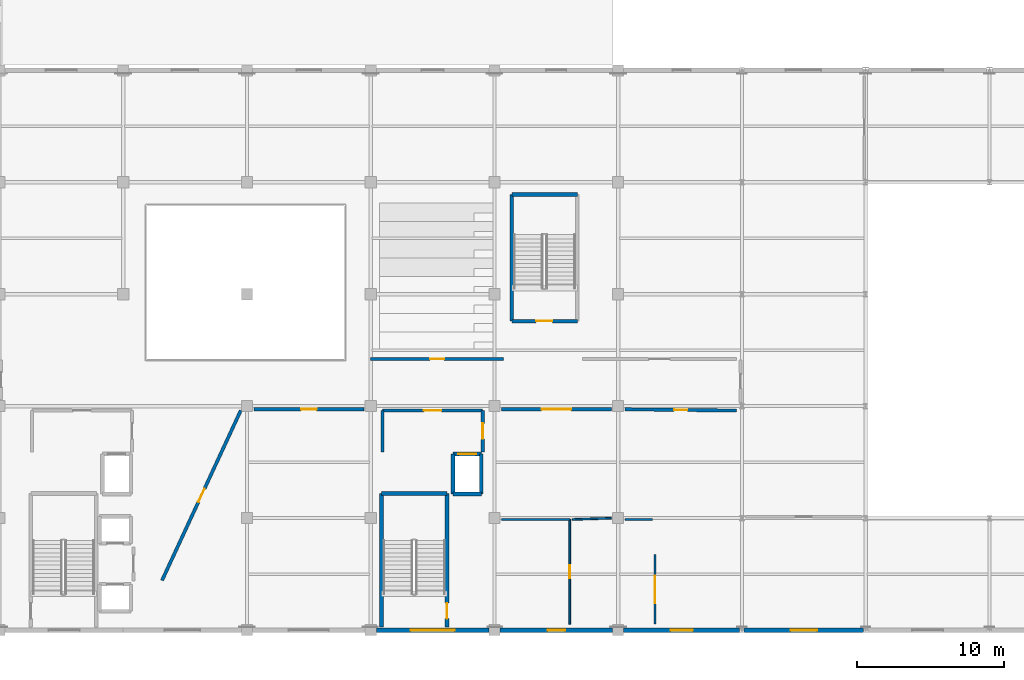
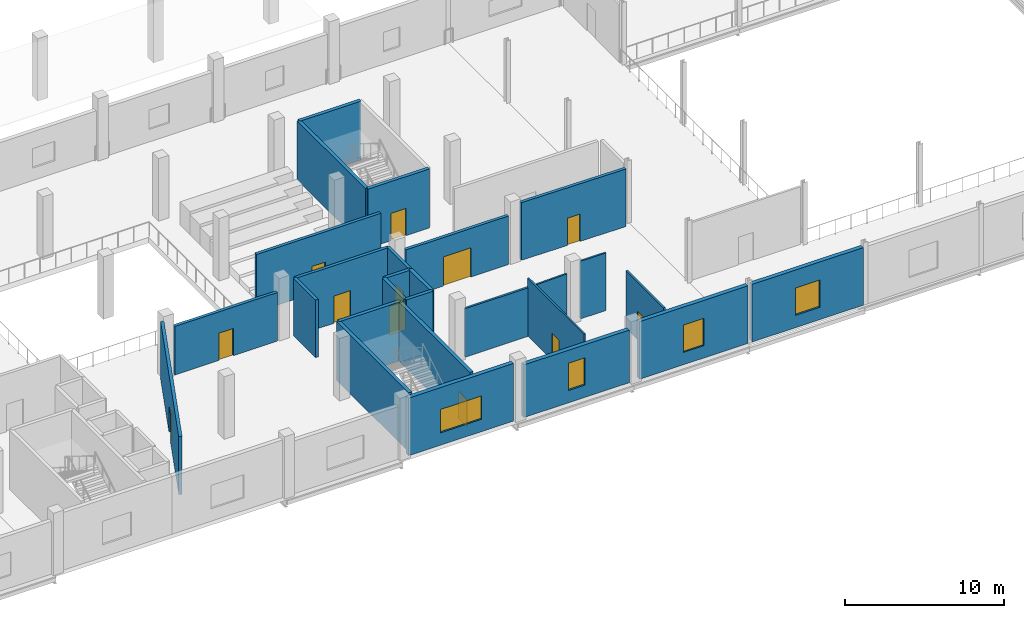
# One storey, part 26 of 51: 27 walls, 12 doors, 4 windows, 16 openings.
"""IFC4 building model written with IfcOpenShell, lengths in metres."""

import ifcopenshell
import ifcopenshell.guid

model = None  # the IFC model being written
_history = None  # IfcOwnerHistory: only IFC2X3 demands one
_inside = {}  # id of a spatial element -> (the spatial element, [elements in it])
_under = {}  # id of a project, library or spatial element -> (it, [spatial elements below it])
_declared = {}  # id of a project -> (the project, [libraries it declares])
_typed = {}  # id of a type object -> (the type object, [elements of that type])
_made_of = {}  # id of a material, layer set ... -> (it, [elements and type objects made of it])


def new_model(schema):
    """Start an empty IFC model of exactly this schema.

    Asked for "IFC4X3", IfcOpenShell would pick the latest addendum, in which some entities
    have other attributes; the version numbers below select the first issue.
    IFC2X3 requires an IfcOwnerHistory on every rooted entity: one is made here for all.
    """
    global model, _history
    if schema == "IFC4X3":
        model = ifcopenshell.file(schema_version=(4, 3, 0, 0))
    else:
        model = ifcopenshell.file(schema=schema)
    _inside.clear()
    _under.clear()
    _declared.clear()
    _typed.clear()
    _made_of.clear()
    _history = None
    if model.schema == "IFC2X3":
        org = make("IfcOrganization", Name="unknown")
        user = make(
            "IfcPersonAndOrganization",
            ThePerson=make("IfcPerson", FamilyName="unknown"),
            TheOrganization=org,
        )
        app = make(
            "IfcApplication",
            ApplicationDeveloper=org,
            Version="unknown",
            ApplicationFullName="unknown",
            ApplicationIdentifier="unknown",
        )
        _history = make(
            "IfcOwnerHistory",
            OwningUser=user,
            OwningApplication=app,
            ChangeAction="ADDED",
            CreationDate=0,
        )
    return model


def make(cls, **values):
    """One entity of the class cls with the attributes given. An attribute that is None is left unset."""
    return model.create_entity(
        cls, **{name: value for name, value in values.items() if value is not None}
    )


def rooted(cls, **values):
    """An entity with a GlobalId (a new one), such as an element, a storey or a relation."""
    return make(cls, GlobalId=ifcopenshell.guid.new(), OwnerHistory=_history, **values)


def si_unit(unit_type, name, prefix=None):
    """IfcSIUnit, for example si_unit("LENGTHUNIT", "METRE", prefix="MILLI")."""
    return make("IfcSIUnit", UnitType=unit_type, Prefix=prefix, Name=name)


def assignment(units):
    """IfcUnitAssignment: the units of a project."""
    return None if units is None else make("IfcUnitAssignment", Units=units)


def point(xyz):
    """IfcCartesianPoint."""
    return None if xyz is None else make("IfcCartesianPoint", Coordinates=xyz)


def direction(xyz):
    """IfcDirection."""
    return None if xyz is None else make("IfcDirection", DirectionRatios=xyz)


def frame(location, z_axis=None, x_axis=None):
    """IfcAxis2Placement3D, a coordinate frame: its origin and axes. An axis left out is left unset."""
    return make(
        "IfcAxis2Placement3D",
        Location=point(location),
        Axis=direction(z_axis),
        RefDirection=direction(x_axis),
    )


def frame_2d(location, x_axis=None):
    """IfcAxis2Placement2D, a coordinate frame in the plane: its origin and x axis."""
    return make(
        "IfcAxis2Placement2D", Location=point(location), RefDirection=direction(x_axis)
    )


def origin():
    """The frame at (0, 0, 0) with its axes left unset."""
    return frame((0.0, 0.0, 0.0))


def place(relative_to, where):
    """IfcLocalPlacement: puts the frame where relative to a parent placement (None: the world)."""
    return make(
        "IfcLocalPlacement", PlacementRelTo=relative_to, RelativePlacement=where
    )


def context(
    kind, dimensions, precision=None, world=None, true_north=None, identifier=None
):
    """IfcGeometricRepresentationContext, for example the 3D "Model" context."""
    return make(
        "IfcGeometricRepresentationContext",
        ContextIdentifier=identifier,
        ContextType=kind,
        CoordinateSpaceDimension=dimensions,
        Precision=precision,
        WorldCoordinateSystem=world,
        TrueNorth=true_north,
    )


def subcontext(parent, identifier, kind, view, scale=None):
    """IfcGeometricRepresentationSubContext, for example "Body" below "Model"."""
    return make(
        "IfcGeometricRepresentationSubContext",
        ContextIdentifier=identifier,
        ContextType=kind,
        ParentContext=parent,
        TargetScale=scale,
        TargetView=view,
    )


def project(units=None, contexts=None):
    """IfcProject with its units and contexts."""
    return rooted(
        "IfcProject",
        Name="project",
        RepresentationContexts=contexts,
        UnitsInContext=assignment(units),
    )


def spatial(cls, under=None, at=None, **own):
    """A site, building, storey or space (cls), placed at a placement, below another one or the project."""
    s = rooted(cls, ObjectPlacement=at, **own)
    if under is not None:
        _under.setdefault(under.id(), (under, []))[1].append(s)
    return s


def profile(cls, at=None, kind="AREA", **sizes):
    """A parametric profile (cls). Its sizes go by their IFC names, for example OverallWidth=200.0."""
    return make(cls, ProfileType=kind, Position=at, **sizes)


def rectangle(**sizes):
    """IfcRectangleProfileDef."""
    return profile("IfcRectangleProfileDef", **sizes)


def extrude(swept, where, along, depth):
    """IfcExtrudedAreaSolid: the profile swept, set in the frame where, extruded along a direction by depth."""
    return make(
        "IfcExtrudedAreaSolid",
        SweptArea=swept,
        Position=where,
        ExtrudedDirection=direction(along),
        Depth=depth,
    )


def shape(context_of_items, identifier, shape_type, items):
    """IfcShapeRepresentation: the items that make up one representation, for example the "Body"."""
    return make(
        "IfcShapeRepresentation",
        ContextOfItems=context_of_items,
        RepresentationIdentifier=identifier,
        RepresentationType=shape_type,
        Items=items,
    )


def material(Name=None, Category=None):
    """IfcMaterial."""
    return make("IfcMaterial", Name=Name, Category=Category)


def layer(
    of_material, thickness, ventilated=None, Name=None, Category=None, Priority=None
):
    """IfcMaterialLayer: one layer of a wall or slab, of a material (None: an air gap)."""
    return make(
        "IfcMaterialLayer",
        Material=of_material,
        LayerThickness=thickness,
        IsVentilated=ventilated,
        Name=Name,
        Category=Category,
        Priority=Priority,
    )


def layer_set(layers, Name=None):
    """IfcMaterialLayerSet."""
    return make("IfcMaterialLayerSet", MaterialLayers=layers, LayerSetName=Name)


def made_of(thing, what):
    """Note that an element or type object is made of a material, layer set ...; save() writes the relation."""
    if what is not None:
        _made_of.setdefault(what.id(), (what, []))[1].append(thing)
    return thing


def type_object(cls, material=None, **own):
    """A type object (cls), such as IfcWallType, which elements share."""
    return made_of(rooted(cls, **own), material)


def element(
    cls,
    number,
    at=None,
    inside=None,
    cuts=None,
    type_object=None,
    material=None,
    context=None,
    identifier="Body",
    shape_type=None,
    held_by="IfcProductDefinitionShape",
    body=None,
    shapes=None,
    **own,
):
    """One element of the class cls, such as IfcWall. Its Tag is "e" and its number.

    at: its placement. inside: the storey or other place that contains it. cuts: it is an
    opening in that element (IfcRelVoidsElement). A single representation is given by context,
    identifier, shape_type and body (its items); several are given by shapes. held_by: the class
    of the entity that holds the representations. save() writes the other relations.
    """
    e = rooted(cls, Tag="e%d" % number, ObjectPlacement=at, **own)
    if body is not None:
        shapes = [shape(context, identifier, shape_type, body)]
    if shapes is not None:
        e.Representation = make(held_by, Representations=shapes)
    if inside is not None:
        _inside.setdefault(inside.id(), (inside, []))[1].append(e)
    if cuts is not None:
        rooted(
            "IfcRelVoidsElement", RelatingBuildingElement=cuts, RelatedOpeningElement=e
        )
    if type_object is not None:
        _typed.setdefault(type_object.id(), (type_object, []))[1].append(e)
    return made_of(e, material)


def fill(opening, filler):
    """IfcRelFillsElement: the door or window that sits in an opening."""
    return rooted(
        "IfcRelFillsElement",
        RelatingOpeningElement=opening,
        RelatedBuildingElement=filler,
    )


def aggregate(whole, parts):
    """IfcRelAggregates: a whole, such as a stair, and the parts it consists of."""
    return rooted("IfcRelAggregates", RelatingObject=whole, RelatedObjects=parts)


def save(model, path):
    """Write the relations noted so far, then the file.

    IfcRelAggregates (storeys below a building ...), IfcRelContainedInSpatialStructure (elements
    in a storey), IfcRelDefinesByType, IfcRelAssociatesMaterial and IfcRelDeclares: one each for
    every whole, place, type object, material and project.
    """
    for whole, parts in _under.values():
        aggregate(whole, parts)
    for where, things in _inside.values():
        rooted(
            "IfcRelContainedInSpatialStructure",
            RelatedElements=things,
            RelatingStructure=where,
        )
    for kind, things in _typed.values():
        rooted("IfcRelDefinesByType", RelatedObjects=things, RelatingType=kind)
    for what, things in _made_of.values():
        rooted("IfcRelAssociatesMaterial", RelatedObjects=things, RelatingMaterial=what)
    for by, libraries in _declared.values():
        rooted("IfcRelDeclares", RelatingContext=by, RelatedDefinitions=libraries)
    model.write(path)


model = new_model("IFC4")

# Units and contexts
model_context = context("Model", 3, precision=1e-05, world=origin(), true_north=direction((0.0, 1.0)))
body_context = subcontext(model_context, "Body", "Model", "MODEL_VIEW")
ifc_project = project(units=[si_unit("LENGTHUNIT", "METRE"), si_unit("AREAUNIT", "SQUARE_METRE"), si_unit("VOLUMEUNIT", "CUBIC_METRE"), si_unit("PLANEANGLEUNIT", "RADIAN"), si_unit("MASSUNIT", "GRAM", prefix="KILO")], contexts=[model_context])

# Site, building, storey
site_placement = place(None, origin())
site = spatial("IfcSite", under=ifc_project, at=site_placement, CompositionType="ELEMENT")
building_placement = place(site_placement, origin())
building = spatial("IfcBuilding", under=site, at=building_placement, Name="Zuvorla Pavilion Media Centre", CompositionType="ELEMENT")
storey_placement = place(building_placement, frame((0.0, 0.0, 4.800048828125)))
storey = spatial("IfcBuildingStorey", under=building, at=storey_placement, Name="L01", CompositionType="ELEMENT", Elevation=4.800048828125)

# Wall, opening, door
ifc_material_1 = material(Name="Acoustic masonry blockwork C32/40", Category="masonry")
ifc_layer_1 = layer(ifc_material_1, 0.219970703125)
ifc_layer_set_1 = layer_set([ifc_layer_1], Name="Acoustic masonry blockwork C32/40")
wall_type_1 = type_object("IfcWallType", Name="WL-CMP-220", PredefinedType="SOLIDWALL", material=ifc_layer_set_1)
wall_1_placement = place(storey_placement, frame((92.800048828125, 20.89990234375, 0.0), z_axis=(0.0, 0.0, 1.0), x_axis=(1.0, 0.0, 0.0)))
wall_1 = element("IfcWall", 1, at=wall_1_placement, inside=storey, type_object=wall_type_1, Name="L01 solid wall IW22 172", PredefinedType="SOLIDWALL", context=body_context, shape_type="SweptSolid", body=[
    extrude(rectangle(XDim=6.800048828125, YDim=0.219970703125, at=frame_2d((3.39990234375, 0.0))), origin(), (0.0, 0.0, 1.0), 4.429931640625),
])
opening_1_placement = place(wall_1_placement, frame((2.800048828125, 0.0, 0.0)))
opening_1 = element("IfcOpeningElement", 2, at=opening_1_placement, cuts=wall_1, Name="Opening FD06", PredefinedType="OPENING", context=body_context, shape_type="SweptSolid", body=[
    extrude(rectangle(XDim=1.199951171875, YDim=2.10009765625, at=frame_2d((0.60009765625, 1.050048828125))), frame((0.0, 0.119873046875, 0.0), z_axis=(0.0, -1.0, 0.0), x_axis=(1.0, 0.0, 0.0)), (0.0, 0.0, 1.0), 0.239990234375),
])
ifc_material_2 = material(Name="Acoustic timber fire door leaf in steel frame", Category="steel")
door_type_1 = type_object("IfcDoorType", Name="DR-INT-FD06", OperationType="NOTDEFINED", PredefinedType="DOOR", material=ifc_material_2)
door_1_placement = place(opening_1_placement, origin())
door_1 = element("IfcDoor", 3, at=door_1_placement, inside=storey, type_object=door_type_1, Name="Firefighting lobby 2 door FD06 64", OperationType="SINGLE_SWING_LEFT", OverallHeight=2.10009765625, OverallWidth=1.199951171875, PredefinedType="DOOR", context=body_context, shape_type="SweptSolid", body=[
    extrude(rectangle(XDim=1.199951171875, YDim=2.10009765625, at=frame_2d((0.60009765625, 1.050048828125))), frame((0.0, 0.02490234375, 0.0), z_axis=(0.0, -1.0, 0.0), x_axis=(1.0, 0.0, 0.0)), (0.0, 0.0, 1.0), 0.050048828125),
])
fill(opening_1, door_1)

# Wall
wall_2_placement = place(storey_placement, frame((92.800048828125, 18.10009765625, 0.0), z_axis=(0.0, 0.0, 1.0), x_axis=(0.0, 1.0, 0.0)))
element("IfcWall", 4, at=wall_2_placement, inside=storey, type_object=wall_type_1, Name="L01 solid wall IW22 173", PredefinedType="SOLIDWALL", context=body_context, shape_type="SweptSolid", body=[
    extrude(rectangle(XDim=2.7998046875, YDim=0.219970703125, at=frame_2d((1.39990234375, 0.0))), origin(), (0.0, 0.0, 1.0), 4.429931640625),
])

# Wall, opening, door
wall_3_placement = place(storey_placement, frame((99.60009765625, 18.10009765625, 0.0), z_axis=(0.0, 0.0, 1.0), x_axis=(0.0, 1.0, 0.0)))
wall_3 = element("IfcWall", 5, at=wall_3_placement, inside=storey, type_object=wall_type_1, Name="L01 solid wall IW22 174", PredefinedType="SOLIDWALL", context=body_context, shape_type="SweptSolid", body=[
    extrude(rectangle(XDim=2.7998046875, YDim=0.219970703125, at=frame_2d((1.39990234375, 0.0))), origin(), (0.0, 0.0, 1.0), 4.429931640625),
])
opening_2_placement = place(wall_3_placement, frame((0.875, 0.0, 0.0)))
opening_2 = element("IfcOpeningElement", 6, at=opening_2_placement, cuts=wall_3, Name="Opening FD04", PredefinedType="OPENING", context=body_context, shape_type="SweptSolid", body=[
    extrude(rectangle(XDim=1.050048828125, YDim=2.10009765625, at=frame_2d((0.52490234375, 1.050048828125))), frame((0.0, 0.119873046875, 0.0), z_axis=(0.0, -1.0, 0.0), x_axis=(1.0, 0.0, 0.0)), (0.0, 0.0, 1.0), 0.239990234375),
])
door_type_2 = type_object("IfcDoorType", Name="DR-INT-FD04", OperationType="NOTDEFINED", PredefinedType="DOOR", material=ifc_material_2)
door_2_placement = place(opening_2_placement, origin())
door_2 = element("IfcDoor", 7, at=door_2_placement, inside=storey, type_object=door_type_2, Name="Firefighting lobby 2 access door FD04 65", OperationType="SINGLE_SWING_LEFT", OverallHeight=2.10009765625, OverallWidth=1.050048828125, PredefinedType="DOOR", context=body_context, shape_type="SweptSolid", body=[
    extrude(rectangle(XDim=1.050048828125, YDim=2.10009765625, at=frame_2d((0.52490234375, 1.050048828125))), frame((0.0, 0.02490234375, 0.0), z_axis=(0.0, -1.0, 0.0), x_axis=(1.0, 0.0, 0.0)), (0.0, 0.0, 1.0), 0.050048828125),
])
fill(opening_2, door_2)

wall_4_placement = place(storey_placement, frame((108.3349609375, 20.989990234375, 0.0), z_axis=(0.0, 0.0, 1.0), x_axis=(-1.0, 0.0, 0.0)))
wall_4 = element("IfcWall", 8, at=wall_4_placement, inside=storey, type_object=wall_type_1, Name="L01 solid wall IW22 462", PredefinedType="SOLIDWALL", context=body_context, shape_type="SweptSolid", body=[
    extrude(rectangle(XDim=7.469970703125, YDim=0.219970703125, at=frame_2d((3.73486328125, 0.0))), origin(), (0.0, 0.0, 1.0), 3.73486328125),
])
opening_3_placement = place(wall_4_placement, frame((2.735107421875, 0.0, 0.0)))
opening_3 = element("IfcOpeningElement", 9, at=opening_3_placement, cuts=wall_4, Name="Opening FD12", PredefinedType="OPENING", context=body_context, shape_type="SweptSolid", body=[
    extrude(rectangle(XDim=2.0, YDim=2.25, at=frame_2d((1.0, 1.125))), frame((0.0, 0.119873046875, 0.0), z_axis=(0.0, -1.0, 0.0), x_axis=(1.0, 0.0, 0.0)), (0.0, 0.0, 1.0), 0.239990234375),
])
door_type_3 = type_object("IfcDoorType", Name="DR-INT-FD12", OperationType="NOTDEFINED", PredefinedType="DOOR", material=ifc_material_2)
door_3_placement = place(opening_3_placement, origin())
door_3 = element("IfcDoor", 10, at=door_3_placement, inside=storey, type_object=door_type_3, Name="Interior door FD12 179", OperationType="DOUBLE_DOOR_SINGLE_SWING", OverallHeight=2.25, OverallWidth=2.0, PredefinedType="DOOR", context=body_context, shape_type="SweptSolid", body=[
    extrude(rectangle(XDim=2.0, YDim=2.25, at=frame_2d((1.0, 1.125))), frame((0.0, 0.02490234375, 0.0), z_axis=(0.0, -1.0, 0.0), x_axis=(1.0, 0.0, 0.0)), (0.0, 0.0, 1.0), 0.050048828125),
])
fill(opening_3, door_3)

wall_5_placement = place(storey_placement, frame((116.819580078125, 20.90087890625, 0.0), z_axis=(0.0, 0.0, 1.0), x_axis=(-0.999931956417, 0.011665441968, 0.0)))
wall_5 = element("IfcWall", 11, at=wall_5_placement, inside=storey, type_object=wall_type_1, Name="L01 solid wall IW22 463", PredefinedType="SOLIDWALL", context=body_context, shape_type="SweptSolid", body=[
    extrude(rectangle(XDim=7.55517578125, YDim=0.219970703125, at=frame_2d((3.777587890625, 0.0))), origin(), (0.0, 0.0, 1.0), 4.429931640625),
])
opening_4_placement = place(wall_5_placement, frame((3.327392578125, 0.0, 0.0)))
opening_4 = element("IfcOpeningElement", 12, at=opening_4_placement, cuts=wall_5, Name="Opening FD01", PredefinedType="OPENING", context=body_context, shape_type="SweptSolid", body=[
    extrude(rectangle(XDim=0.89990234375, YDim=2.10009765625, at=frame_2d((0.449951171875, 1.050048828125))), frame((0.0, 0.119873046875, 0.0), z_axis=(0.0, -1.0, 0.0), x_axis=(1.0, 0.0, 0.0)), (0.0, 0.0, 1.0), 0.239990234375),
])
door_type_4 = type_object("IfcDoorType", Name="DR-INT-FD01", OperationType="NOTDEFINED", PredefinedType="DOOR", material=ifc_material_2)
door_4_placement = place(opening_4_placement, origin())
door_4 = element("IfcDoor", 13, at=door_4_placement, inside=storey, type_object=door_type_4, Name="Interior door FD01 180", OperationType="SINGLE_SWING_RIGHT", OverallHeight=2.10009765625, OverallWidth=0.89990234375, PredefinedType="DOOR", context=body_context, shape_type="SweptSolid", body=[
    extrude(rectangle(XDim=0.89990234375, YDim=2.10009765625, at=frame_2d((0.449951171875, 1.050048828125))), frame((0.0, 0.02490234375, 0.0), z_axis=(0.0, -1.0, 0.0), x_axis=(1.0, 0.0, 0.0)), (0.0, 0.0, 1.0), 0.050048828125),
])
fill(opening_4, door_4)

wall_6_placement = place(storey_placement, frame((91.98046875, 24.39990234375, 0.0), z_axis=(0.0, 0.0, 1.0), x_axis=(1.0, 0.0, 0.0)))
wall_6 = element("IfcWall", 14, at=wall_6_placement, inside=storey, type_object=wall_type_1, Name="L01 solid wall IW22 464", PredefinedType="SOLIDWALL", context=body_context, shape_type="SweptSolid", body=[
    extrude(rectangle(XDim=9.0390625, YDim=0.219970703125, at=frame_2d((4.51953125, 0.0))), origin(), (0.0, 0.0, 1.0), 4.429931640625),
])
opening_5_placement = place(wall_6_placement, frame((4.04443359375, 0.0, 0.0)))
opening_5 = element("IfcOpeningElement", 15, at=opening_5_placement, cuts=wall_6, Name="Opening FD02", PredefinedType="OPENING", context=body_context, shape_type="SweptSolid", body=[
    extrude(rectangle(XDim=0.949951171875, YDim=2.10009765625, at=frame_2d((0.47509765625, 1.050048828125))), frame((0.0, 0.119873046875, 0.0), z_axis=(0.0, -1.0, 0.0), x_axis=(1.0, 0.0, 0.0)), (0.0, 0.0, 1.0), 0.239990234375),
])
door_type_5 = type_object("IfcDoorType", Name="DR-INT-FD02", OperationType="NOTDEFINED", PredefinedType="DOOR", material=ifc_material_2)
door_5_placement = place(opening_5_placement, origin())
door_5 = element("IfcDoor", 16, at=door_5_placement, inside=storey, type_object=door_type_5, Name="Interior door FD02 181", OperationType="SINGLE_SWING_LEFT", OverallHeight=2.10009765625, OverallWidth=0.949951171875, PredefinedType="DOOR", context=body_context, shape_type="SweptSolid", body=[
    extrude(rectangle(XDim=0.949951171875, YDim=2.10009765625, at=frame_2d((0.47509765625, 1.050048828125))), frame((0.0, 0.02490234375, 0.0), z_axis=(0.0, -1.0, 0.0), x_axis=(1.0, 0.0, 0.0)), (0.0, 0.0, 1.0), 0.050048828125),
])
fill(opening_5, door_5)

wall_7_placement = place(storey_placement, frame((83.181396484375, 20.91748046875, 0.0), z_axis=(0.0, 0.0, 1.0), x_axis=(-0.42028801639, -0.907390755562, 0.0)))
wall_7 = element("IfcWall", 17, at=wall_7_placement, inside=storey, type_object=wall_type_1, Name="L01 solid wall IW22 465", PredefinedType="SOLIDWALL", context=body_context, shape_type="SweptSolid", body=[
    extrude(rectangle(XDim=12.72314453125, YDim=0.219970703125, at=frame_2d((6.361572265625, 0.0))), origin(), (0.0, 0.0, 1.0), 4.429931640625),
])
opening_6_placement = place(wall_7_placement, frame((5.861572265625, 0.0, 0.0)))
opening_6 = element("IfcOpeningElement", 18, at=opening_6_placement, cuts=wall_7, Name="Opening FD03", PredefinedType="OPENING", context=body_context, shape_type="SweptSolid", body=[
    extrude(rectangle(XDim=1.0, YDim=2.10009765625, at=frame_2d((0.5, 1.050048828125))), frame((0.0, 0.119873046875, 0.0), z_axis=(0.0, -1.0, 0.0), x_axis=(1.0, 0.0, 0.0)), (0.0, 0.0, 1.0), 0.239990234375),
])
door_type_6 = type_object("IfcDoorType", Name="DR-INT-FD03", OperationType="NOTDEFINED", PredefinedType="DOOR", material=ifc_material_2)
door_6_placement = place(opening_6_placement, origin())
door_6 = element("IfcDoor", 19, at=door_6_placement, inside=storey, type_object=door_type_6, Name="Interior door FD03 182", OperationType="SINGLE_SWING_RIGHT", OverallHeight=2.10009765625, OverallWidth=1.0, PredefinedType="DOOR", context=body_context, shape_type="SweptSolid", body=[
    extrude(rectangle(XDim=1.0, YDim=2.10009765625, at=frame_2d((0.5, 1.050048828125))), frame((0.0, 0.02490234375, 0.0), z_axis=(0.0, -1.0, 0.0), x_axis=(1.0, 0.0, 0.0)), (0.0, 0.0, 1.0), 0.050048828125),
])
fill(opening_6, door_6)

wall_8_placement = place(storey_placement, frame((91.534912109375, 20.989990234375, 0.0), z_axis=(0.0, 0.0, 1.0), x_axis=(-1.0, 0.0, 0.0)))
wall_8 = element("IfcWall", 20, at=wall_8_placement, inside=storey, type_object=wall_type_1, Name="L01 solid wall IW22 466", PredefinedType="SOLIDWALL", context=body_context, shape_type="SweptSolid", body=[
    extrude(rectangle(XDim=7.469970703125, YDim=0.219970703125, at=frame_2d((3.73486328125, 0.0))), origin(), (0.0, 0.0, 1.0), 3.73486328125),
])
opening_7_placement = place(wall_8_placement, frame((3.2099609375, 0.0, 0.0)))
opening_7 = element("IfcOpeningElement", 21, at=opening_7_placement, cuts=wall_8, Name="Opening FD04", PredefinedType="OPENING", context=body_context, shape_type="SweptSolid", body=[
    extrude(rectangle(XDim=1.050048828125, YDim=2.10009765625, at=frame_2d((0.52490234375, 1.050048828125))), frame((0.0, 0.119873046875, 0.0), z_axis=(0.0, -1.0, 0.0), x_axis=(1.0, 0.0, 0.0)), (0.0, 0.0, 1.0), 0.239990234375),
])
door_7_placement = place(opening_7_placement, origin())
door_7 = element("IfcDoor", 22, at=door_7_placement, inside=storey, type_object=door_type_2, Name="Interior door FD04 183", OperationType="SINGLE_SWING_LEFT", OverallHeight=2.10009765625, OverallWidth=1.050048828125, PredefinedType="DOOR", context=body_context, shape_type="SweptSolid", body=[
    extrude(rectangle(XDim=1.050048828125, YDim=2.10009765625, at=frame_2d((0.52490234375, 1.050048828125))), frame((0.0, 0.02490234375, 0.0), z_axis=(0.0, -1.0, 0.0), x_axis=(1.0, 0.0, 0.0)), (0.0, 0.0, 1.0), 0.050048828125),
])
fill(opening_7, door_7)

# Wall
ifc_material_3 = material(Name="Concrete C40/50", Category="concrete")
ifc_layer_2 = layer(ifc_material_3, 0.25)
ifc_layer_set_2 = layer_set([ifc_layer_2], Name="Concrete C40/50")
wall_type_2 = type_object("IfcWallType", Name="WL-COR-250", PredefinedType="SHEAR", material=ifc_layer_set_2)
wall_9_placement = place(storey_placement, frame((92.72509765625, 6.22509765625, 0.0), z_axis=(0.0, 0.0, 1.0), x_axis=(0.0, 1.0, 0.0)))
element("IfcWall", 23, at=wall_9_placement, inside=storey, type_object=wall_type_2, Name="L01 shear wall CW25 169", PredefinedType="SHEAR", context=body_context, shape_type="SweptSolid", body=[
    extrude(rectangle(XDim=9.0498046875, YDim=0.25, at=frame_2d((4.52490234375, 0.0))), origin(), (0.0, 0.0, 1.0), 4.5400390625),
])

# Wall, opening, door
wall_10_placement = place(storey_placement, frame((97.175048828125, 6.22509765625, 0.0), z_axis=(0.0, 0.0, 1.0), x_axis=(0.0, 1.0, 0.0)))
wall_10 = element("IfcWall", 24, at=wall_10_placement, inside=storey, type_object=wall_type_2, Name="L01 shear wall CW25 170", PredefinedType="SHEAR", context=body_context, shape_type="SweptSolid", body=[
    extrude(rectangle(XDim=9.0498046875, YDim=0.25, at=frame_2d((4.52490234375, 0.0))), origin(), (0.0, 0.0, 1.0), 4.5400390625),
])
opening_8_placement = place(wall_10_placement, frame((0.550048828125, 0.0, 0.0)))
opening_8 = element("IfcOpeningElement", 25, at=opening_8_placement, cuts=wall_10, Name="Opening FD04", PredefinedType="OPENING", context=body_context, shape_type="SweptSolid", body=[
    extrude(rectangle(XDim=1.050048828125, YDim=2.10009765625, at=frame_2d((0.52490234375, 1.050048828125))), frame((0.0, 0.135009765625, 0.0), z_axis=(0.0, -1.0, 0.0), x_axis=(1.0, 0.0, 0.0)), (0.0, 0.0, 1.0), 0.27001953125),
])
door_8_placement = place(opening_8_placement, frame((1.050048828125, 0.0, 0.0), z_axis=(0.0, 0.0, 1.0), x_axis=(-1.0, 0.0, 0.0)))
door_8 = element("IfcDoor", 26, at=door_8_placement, inside=storey, type_object=door_type_2, Name="Stair ST-02 fire door FD04 63", OperationType="SINGLE_SWING_LEFT", OverallHeight=2.10009765625, OverallWidth=1.050048828125, PredefinedType="DOOR", context=body_context, shape_type="SweptSolid", body=[
    extrude(rectangle(XDim=1.050048828125, YDim=2.10009765625, at=frame_2d((0.52490234375, 1.050048828125))), frame((0.0, 0.02490234375, 0.0), z_axis=(0.0, -1.0, 0.0), x_axis=(1.0, 0.0, 0.0)), (0.0, 0.0, 1.0), 0.050048828125),
])
fill(opening_8, door_8)

# Walls
wall_11_placement = place(storey_placement, frame((92.72509765625, 15.27490234375, 0.0), z_axis=(0.0, 0.0, 1.0), x_axis=(1.0, 0.0, 0.0)))
element("IfcWall", 27, at=wall_11_placement, inside=storey, type_object=wall_type_2, Name="L01 shear wall CW25 171", PredefinedType="SHEAR", context=body_context, shape_type="SweptSolid", body=[
    extrude(rectangle(XDim=4.449951171875, YDim=0.25, at=frame_2d((2.22509765625, 0.0))), origin(), (0.0, 0.0, 1.0), 4.5400390625),
])
wall_12_placement = place(storey_placement, frame((97.590087890625, 15.239990234375, 0.0), z_axis=(0.0, 0.0, 1.0), x_axis=(1.0, 0.0, 0.0)))
element("IfcWall", 28, at=wall_12_placement, inside=storey, type_object=wall_type_2, Name="L01 shear wall CW25 213", PredefinedType="SHEAR", context=body_context, shape_type="SweptSolid", body=[
    extrude(rectangle(XDim=1.919921875, YDim=0.25, at=frame_2d((0.9599609375, 0.0))), origin(), (0.0, 0.0, 1.0), 4.5400390625),
])

# Wall, opening, door
wall_13_placement = place(storey_placement, frame((97.590087890625, 17.9599609375, 0.0), z_axis=(0.0, 0.0, 1.0), x_axis=(1.0, 0.0, 0.0)))
wall_13 = element("IfcWall", 29, at=wall_13_placement, inside=storey, type_object=wall_type_2, Name="L01 shear wall CW25 214", PredefinedType="SHEAR", context=body_context, shape_type="SweptSolid", body=[
    extrude(rectangle(XDim=1.919921875, YDim=0.25, at=frame_2d((0.9599609375, 0.0))), origin(), (0.0, 0.0, 1.0), 4.5400390625),
])
opening_9_placement = place(wall_13_placement, frame((0.360107421875, 0.0, 0.0)))
opening_9 = element("IfcOpeningElement", 30, at=opening_9_placement, cuts=wall_13, Name="Opening LD02", PredefinedType="OPENING", context=body_context, shape_type="SweptSolid", body=[
    extrude(rectangle(XDim=1.199951171875, YDim=2.199951171875, at=frame_2d((0.60009765625, 1.10009765625))), frame((0.0, 0.135009765625, 0.0), z_axis=(0.0, -1.0, 0.0), x_axis=(1.0, 0.0, 0.0)), (0.0, 0.0, 1.0), 0.27001953125),
])
ifc_material_4 = material(Name="Brushed stainless steel sliding lift landing door", Category="steel")
door_type_7 = type_object("IfcDoorType", Name="DR-LFT-LD02", OperationType="SLIDING_TO_LEFT", PredefinedType="DOOR", material=ifc_material_4)
door_9_placement = place(opening_9_placement, origin())
door_9 = element("IfcDoor", 31, at=door_9_placement, inside=storey, type_object=door_type_7, Name="Lift LF-04 landing door LD02 83", OperationType="SLIDING_TO_LEFT", OverallHeight=2.199951171875, OverallWidth=1.199951171875, PredefinedType="DOOR", context=body_context, shape_type="SweptSolid", body=[
    extrude(rectangle(XDim=1.199951171875, YDim=2.199951171875, at=frame_2d((0.60009765625, 1.10009765625))), frame((0.0, 0.02490234375, 0.0), z_axis=(0.0, -1.0, 0.0), x_axis=(1.0, 0.0, 0.0)), (0.0, 0.0, 1.0), 0.050048828125),
])
fill(opening_9, door_9)

# Walls
for number, where, z_axis, x_axis, name in (
    (32, (97.590087890625, 15.239990234375, 0.0), (0.0, 0.0, 1.0), (0.0, 1.0, 0.0), "L01 shear wall CW25 215"),
    (33, (99.510009765625, 15.239990234375, 0.0), (0.0, 0.0, 1.0), (0.0, 1.0, 0.0), "L01 shear wall CW25 216"),
):
    element("IfcWall", number, at=place(storey_placement, frame(where, z_axis=z_axis, x_axis=x_axis)), inside=storey, type_object=wall_type_2, Name=name, PredefinedType="SHEAR", context=body_context, shape_type="SweptSolid", body=[
        extrude(rectangle(XDim=2.719970703125, YDim=0.25, at=frame_2d((1.35986328125, 0.0))), origin(), (0.0, 0.0, 1.0), 4.5400390625),
    ])
wall_14_placement = place(storey_placement, frame((101.574951171875, 26.97509765625, 0.0), z_axis=(0.0, 0.0, 1.0), x_axis=(0.0, 1.0, 0.0)))
element("IfcWall", 34, at=wall_14_placement, inside=storey, type_object=wall_type_2, Name="L01 shear wall CW25 309", PredefinedType="SHEAR", context=body_context, shape_type="SweptSolid", body=[
    extrude(rectangle(XDim=8.599853515625, YDim=0.25, at=frame_2d((4.2998046875, 0.0))), origin(), (0.0, 0.0, 1.0), 4.5400390625),
])
wall_15_placement = place(storey_placement, frame((101.574951171875, 35.574951171875, 0.0), z_axis=(0.0, 0.0, 1.0), x_axis=(1.0, 0.0, 0.0)))
element("IfcWall", 35, at=wall_15_placement, inside=storey, type_object=wall_type_2, Name="L01 shear wall CW25 311", PredefinedType="SHEAR", context=body_context, shape_type="SweptSolid", body=[
    extrude(rectangle(XDim=4.449951171875, YDim=0.25, at=frame_2d((2.22509765625, 0.0))), origin(), (0.0, 0.0, 1.0), 4.5400390625),
])

# Wall, opening, door
wall_16_placement = place(storey_placement, frame((101.574951171875, 26.97509765625, 0.0), z_axis=(0.0, 0.0, 1.0), x_axis=(1.0, 0.0, 0.0)))
wall_16 = element("IfcWall", 36, at=wall_16_placement, inside=storey, type_object=wall_type_2, Name="L01 shear wall CW25 312", PredefinedType="SHEAR", context=body_context, shape_type="SweptSolid", body=[
    extrude(rectangle(XDim=4.449951171875, YDim=0.25, at=frame_2d((2.22509765625, 0.0))), origin(), (0.0, 0.0, 1.0), 4.5400390625),
])
opening_10_placement = place(wall_16_placement, frame((1.64990234375, 0.0, 0.0)))
opening_10 = element("IfcOpeningElement", 37, at=opening_10_placement, cuts=wall_16, Name="Opening FD05", PredefinedType="OPENING", context=body_context, shape_type="SweptSolid", body=[
    extrude(rectangle(XDim=1.10009765625, YDim=2.10009765625, at=frame_2d((0.550048828125, 1.050048828125))), frame((0.0, 0.135009765625, 0.0), z_axis=(0.0, -1.0, 0.0), x_axis=(1.0, 0.0, 0.0)), (0.0, 0.0, 1.0), 0.27001953125),
])
door_type_8 = type_object("IfcDoorType", Name="DR-INT-FD05", OperationType="NOTDEFINED", PredefinedType="DOOR", material=ifc_material_2)
door_10_placement = place(opening_10_placement, frame((1.10009765625, 0.0, 0.0), z_axis=(0.0, 0.0, 1.0), x_axis=(-1.0, 0.0, 0.0)))
door_10 = element("IfcDoor", 38, at=door_10_placement, inside=storey, type_object=door_type_8, Name="Stair ST-04 fire door FD05 107", OperationType="SINGLE_SWING_RIGHT", OverallHeight=2.10009765625, OverallWidth=1.10009765625, PredefinedType="DOOR", context=body_context, shape_type="SweptSolid", body=[
    extrude(rectangle(XDim=1.10009765625, YDim=2.10009765625, at=frame_2d((0.550048828125, 1.050048828125))), frame((0.0, 0.02490234375, 0.0), z_axis=(0.0, -1.0, 0.0), x_axis=(1.0, 0.0, 0.0)), (0.0, 0.0, 1.0), 0.050048828125),
])
fill(opening_10, door_10)

# Wall, opening, window
ifc_material_5 = material(Name="White rendered concrete C32/40", Category="concrete")
ifc_layer_3 = layer(ifc_material_5, 0.300048828125)
ifc_layer_set_3 = layer_set([ifc_layer_3], Name="White rendered concrete C32/40")
wall_type_3 = type_object("IfcWallType", Name="WL-EXT-300", PredefinedType="SOLIDWALL", material=ifc_layer_set_3)
wall_17_placement = place(storey_placement, frame((92.375, 6.0, 0.0), z_axis=(0.0, 0.0, 1.0), x_axis=(1.0, 0.0, 0.0)))
wall_17 = element("IfcWall", 39, at=wall_17_placement, inside=storey, type_object=wall_type_3, Name="L01 exterior solid wall EW03 165", PredefinedType="SOLIDWALL", context=body_context, shape_type="SweptSolid", body=[
    extrude(rectangle(XDim=7.64990234375, YDim=0.300048828125, at=frame_2d((3.824951171875, 0.0))), origin(), (0.0, 0.0, 1.0), 4.429931640625),
])
opening_11_placement = place(wall_17_placement, frame((2.324951171875, 0.0, 0.949951171875)))
opening_11 = element("IfcOpeningElement", 40, at=opening_11_placement, cuts=wall_17, Name="Opening WN16", PredefinedType="OPENING", context=body_context, shape_type="SweptSolid", body=[
    extrude(rectangle(XDim=3.0, YDim=1.800048828125, at=frame_2d((1.5, 0.89990234375))), frame((0.0, 0.159912109375, 0.0), z_axis=(0.0, -1.0, 0.0), x_axis=(1.0, 0.0, 0.0)), (0.0, 0.0, 1.0), 0.320068359375),
])
ifc_material_6 = material(Name="Anodised aluminium frame with solar double glazing", Category="aluminium")
window_type_1 = type_object("IfcWindowType", Name="WIN-WN16", PartitioningType="DOUBLE_PANEL_VERTICAL", PredefinedType="WINDOW", material=ifc_material_6)
window_1_placement = place(opening_11_placement, origin())
window_1 = element("IfcWindow", 41, at=window_1_placement, inside=storey, type_object=window_type_1, Name="L01 window WN16 44", OverallHeight=1.800048828125, OverallWidth=3.0, PartitioningType="DOUBLE_PANEL_VERTICAL", PredefinedType="WINDOW", context=body_context, shape_type="SweptSolid", body=[
    extrude(rectangle(XDim=3.0, YDim=1.800048828125, at=frame_2d((1.5, 0.89990234375))), frame((0.0, 0.030029296875, 0.0), z_axis=(0.0, -1.0, 0.0), x_axis=(1.0, 0.0, 0.0)), (0.0, 0.0, 1.0), 0.06005859375),
])
fill(opening_11, window_1)

wall_18_placement = place(storey_placement, frame((100.77490234375, 6.0, 0.0), z_axis=(0.0, 0.0, 1.0), x_axis=(1.0, 0.0, 0.0)))
wall_18 = element("IfcWall", 42, at=wall_18_placement, inside=storey, type_object=wall_type_3, Name="L01 exterior solid wall EW03 166", PredefinedType="SOLIDWALL", context=body_context, shape_type="SweptSolid", body=[
    extrude(rectangle(XDim=7.650146484375, YDim=0.300048828125, at=frame_2d((3.8251953125, 0.0))), origin(), (0.0, 0.0, 1.0), 4.046875),
])
opening_12_placement = place(wall_18_placement, frame((3.22509765625, 0.0, 0.949951171875)))
opening_12 = element("IfcOpeningElement", 43, at=opening_12_placement, cuts=wall_18, Name="Opening WN17", PredefinedType="OPENING", context=body_context, shape_type="SweptSolid", body=[
    extrude(rectangle(XDim=1.199951171875, YDim=2.10009765625, at=frame_2d((0.60009765625, 1.050048828125))), frame((0.0, 0.159912109375, 0.0), z_axis=(0.0, -1.0, 0.0), x_axis=(1.0, 0.0, 0.0)), (0.0, 0.0, 1.0), 0.320068359375),
])
window_type_2 = type_object("IfcWindowType", Name="WIN-WN17", PartitioningType="SINGLE_PANEL", PredefinedType="WINDOW", material=ifc_material_6)
window_2_placement = place(opening_12_placement, origin())
window_2 = element("IfcWindow", 44, at=window_2_placement, inside=storey, type_object=window_type_2, Name="L01 window WN17 45", OverallHeight=2.10009765625, OverallWidth=1.199951171875, PartitioningType="SINGLE_PANEL", PredefinedType="WINDOW", context=body_context, shape_type="SweptSolid", body=[
    extrude(rectangle(XDim=1.199951171875, YDim=2.10009765625, at=frame_2d((0.60009765625, 1.050048828125))), frame((0.0, 0.030029296875, 0.0), z_axis=(0.0, -1.0, 0.0), x_axis=(1.0, 0.0, 0.0)), (0.0, 0.0, 1.0), 0.06005859375),
])
fill(opening_12, window_2)

wall_19_placement = place(storey_placement, frame((109.175048828125, 6.0, 0.0), z_axis=(0.0, 0.0, 1.0), x_axis=(1.0, 0.0, 0.0)))
wall_19 = element("IfcWall", 45, at=wall_19_placement, inside=storey, type_object=wall_type_3, Name="L01 exterior solid wall EW03 167", PredefinedType="SOLIDWALL", context=body_context, shape_type="SweptSolid", body=[
    extrude(rectangle(XDim=7.870361328125, YDim=0.300048828125, at=frame_2d((3.93505859375, 0.0))), origin(), (0.0, 0.0, 1.0), 4.429931640625),
])
opening_13_placement = place(wall_19_placement, frame((3.185302734375, 0.0, 0.949951171875)))
opening_13 = element("IfcOpeningElement", 46, at=opening_13_placement, cuts=wall_19, Name="Opening WN18", PredefinedType="OPENING", context=body_context, shape_type="SweptSolid", body=[
    extrude(rectangle(XDim=1.5, YDim=2.10009765625, at=frame_2d((0.75, 1.050048828125))), frame((0.0, 0.159912109375, 0.0), z_axis=(0.0, -1.0, 0.0), x_axis=(1.0, 0.0, 0.0)), (0.0, 0.0, 1.0), 0.320068359375),
])
window_type_3 = type_object("IfcWindowType", Name="WIN-WN18", PartitioningType="SINGLE_PANEL", PredefinedType="WINDOW", material=ifc_material_6)
window_3_placement = place(opening_13_placement, origin())
window_3 = element("IfcWindow", 47, at=window_3_placement, inside=storey, type_object=window_type_3, Name="L01 window WN18 46", OverallHeight=2.10009765625, OverallWidth=1.5, PartitioningType="SINGLE_PANEL", PredefinedType="WINDOW", context=body_context, shape_type="SweptSolid", body=[
    extrude(rectangle(XDim=1.5, YDim=2.10009765625, at=frame_2d((0.75, 1.050048828125))), frame((0.0, 0.030029296875, 0.0), z_axis=(0.0, -1.0, 0.0), x_axis=(1.0, 0.0, 0.0)), (0.0, 0.0, 1.0), 0.06005859375),
])
fill(opening_13, window_3)

wall_20_placement = place(storey_placement, frame((117.3544921875, 6.0, 0.0), z_axis=(0.0, 0.0, 1.0), x_axis=(1.0, 0.0, 0.0)))
wall_20 = element("IfcWall", 48, at=wall_20_placement, inside=storey, type_object=wall_type_3, Name="L01 exterior solid wall EW03 168", PredefinedType="SOLIDWALL", context=body_context, shape_type="SweptSolid", body=[
    extrude(rectangle(XDim=8.0908203125, YDim=0.300048828125, at=frame_2d((4.04541015625, 0.0))), origin(), (0.0, 0.0, 1.0), 4.429931640625),
])
opening_14_placement = place(wall_20_placement, frame((3.1455078125, 0.0, 0.949951171875)))
opening_14 = element("IfcOpeningElement", 49, at=opening_14_placement, cuts=wall_20, Name="Opening WN19", PredefinedType="OPENING", context=body_context, shape_type="SweptSolid", body=[
    extrude(rectangle(XDim=1.800048828125, YDim=2.10009765625, at=frame_2d((0.89990234375, 1.050048828125))), frame((0.0, 0.159912109375, 0.0), z_axis=(0.0, -1.0, 0.0), x_axis=(1.0, 0.0, 0.0)), (0.0, 0.0, 1.0), 0.320068359375),
])
window_type_4 = type_object("IfcWindowType", Name="WIN-WN19", PartitioningType="DOUBLE_PANEL_VERTICAL", PredefinedType="WINDOW", material=ifc_material_6)
window_4_placement = place(opening_14_placement, origin())
window_4 = element("IfcWindow", 50, at=window_4_placement, inside=storey, type_object=window_type_4, Name="L01 window WN19 47", OverallHeight=2.10009765625, OverallWidth=1.800048828125, PartitioningType="DOUBLE_PANEL_VERTICAL", PredefinedType="WINDOW", context=body_context, shape_type="SweptSolid", body=[
    extrude(rectangle(XDim=1.800048828125, YDim=2.10009765625, at=frame_2d((0.89990234375, 1.050048828125))), frame((0.0, 0.030029296875, 0.0), z_axis=(0.0, -1.0, 0.0), x_axis=(1.0, 0.0, 0.0)), (0.0, 0.0, 1.0), 0.06005859375),
])
fill(opening_14, window_4)

# Wall, opening, door
ifc_material_7 = material(Name="Lightweight gypsum partition")
ifc_layer_4 = layer(ifc_material_7, 0.1201171875)
ifc_layer_set_4 = layer_set([ifc_layer_4], Name="Lightweight gypsum partition")
wall_type_4 = type_object("IfcWallType", Name="WL-PRT-120", PredefinedType="PARTITIONING", material=ifc_layer_set_4)
wall_21_placement = place(storey_placement, frame((105.510009765625, 13.52001953125, 0.0), z_axis=(0.0, 0.0, 1.0), x_axis=(0.0, -1.0, 0.0)))
wall_21 = element("IfcWall", 51, at=wall_21_placement, inside=storey, type_object=wall_type_4, Name="L01 partition PT12 481", PredefinedType="PARTITIONING", context=body_context, shape_type="SweptSolid", body=[
    extrude(rectangle(XDim=7.1201171875, YDim=0.1201171875, at=frame_2d((3.56005859375, 0.0))), origin(), (0.0, 0.0, 1.0), 4.429931640625),
])
opening_15_placement = place(wall_21_placement, frame((3.1201171875, 0.0, 0.0)))
opening_15 = element("IfcOpeningElement", 52, at=opening_15_placement, cuts=wall_21, Name="Opening ID01", PredefinedType="OPENING", context=body_context, shape_type="SweptSolid", body=[
    extrude(rectangle(XDim=0.8798828125, YDim=2.080078125, at=frame_2d((0.43994140625, 1.0400390625))), frame((0.0, 0.070068359375, 0.0), z_axis=(0.0, -1.0, 0.0), x_axis=(1.0, 0.0, 0.0)), (0.0, 0.0, 1.0), 0.14013671875),
])
ifc_material_8 = material(Name="Hardwood acoustic studio door in anodised frame", Category="wood")
door_type_9 = type_object("IfcDoorType", Name="DR-UNR-ID01", OperationType="NOTDEFINED", PredefinedType="DOOR", material=ifc_material_8)
door_11_placement = place(opening_15_placement, origin())
door_11 = element("IfcDoor", 53, at=door_11_placement, inside=storey, type_object=door_type_9, Name="Interior door ID01 198", OperationType="SINGLE_SWING_RIGHT", OverallHeight=2.080078125, OverallWidth=0.8798828125, PredefinedType="DOOR", context=body_context, shape_type="SweptSolid", body=[
    extrude(rectangle(XDim=0.8798828125, YDim=2.080078125, at=frame_2d((0.43994140625, 1.0400390625))), frame((0.0, 0.02490234375, 0.0), z_axis=(0.0, -1.0, 0.0), x_axis=(1.0, 0.0, 0.0)), (0.0, 0.0, 1.0), 0.050048828125),
])
fill(opening_15, door_11)

# Walls
wall_22_placement = place(storey_placement, frame((105.68994140625, 13.51123046875, 0.0), z_axis=(0.0, 0.0, 1.0), x_axis=(0.999469609023, 0.032565328778, 0.0)))
element("IfcWall", 54, at=wall_22_placement, inside=storey, type_object=wall_type_4, Name="L01 partition PT12 483", PredefinedType="PARTITIONING", context=body_context, shape_type="SweptSolid", body=[
    extrude(rectangle(XDim=2.646484375, YDim=0.1201171875, at=frame_2d((1.3232421875, 0.0))), origin(), (0.0, 0.0, 1.0), 3.73486328125),
])
wall_23_placement = place(storey_placement, frame((109.264892578125, 13.509521484375, 0.0), z_axis=(0.0, 0.0, 1.0), x_axis=(0.999989393153, -0.00460582034, 0.0)))
element("IfcWall", 55, at=wall_23_placement, inside=storey, type_object=wall_type_4, Name="L01 partition PT12 484", PredefinedType="PARTITIONING", context=body_context, shape_type="SweptSolid", body=[
    extrude(rectangle(XDim=1.855224609375, YDim=0.1201171875, at=frame_2d((0.927734375, 0.0))), origin(), (0.0, 0.0, 1.0), 4.429931640625),
])

# Wall, opening, door
ifc_material_9 = material(Name="Acoustic gypsum stud partition")
ifc_layer_5 = layer(ifc_material_9, 0.14990234375)
ifc_layer_set_5 = layer_set([ifc_layer_5], Name="Acoustic gypsum stud partition")
wall_type_5 = type_object("IfcWallType", Name="WL-PRT-150", PredefinedType="PARTITIONING", material=ifc_layer_set_5)
wall_24_placement = place(storey_placement, frame((111.2900390625, 6.39990234375, 0.0), z_axis=(0.0, 0.0, 1.0), x_axis=(0.001965445671, 0.99999806851, 0.0)))
wall_24 = element("IfcWall", 56, at=wall_24_placement, inside=storey, type_object=wall_type_5, Name="L01 partition PT15 480", PredefinedType="PARTITIONING", context=body_context, shape_type="SweptSolid", body=[
    extrude(rectangle(XDim=4.72021484375, YDim=0.14990234375, at=frame_2d((2.360107421875, 0.0))), origin(), (0.0, 0.0, 1.0), 4.429931640625),
])
opening_16_placement = place(wall_24_placement, frame((1.43505859375, 0.0, 0.0)))
opening_16 = element("IfcOpeningElement", 57, at=opening_16_placement, cuts=wall_24, Name="Opening ID12", PredefinedType="OPENING", context=body_context, shape_type="SweptSolid", body=[
    extrude(rectangle(XDim=1.85009765625, YDim=2.219970703125, at=frame_2d((0.925048828125, 1.10986328125))), frame((0.0, 0.0849609375, 0.0), z_axis=(0.0, -1.0, 0.0), x_axis=(1.0, 0.0, 0.0)), (0.0, 0.0, 1.0), 0.169921875),
])
door_type_10 = type_object("IfcDoorType", Name="DR-UNR-ID12", OperationType="NOTDEFINED", PredefinedType="DOOR", material=ifc_material_8)
door_12_placement = place(opening_16_placement, origin())
door_12 = element("IfcDoor", 58, at=door_12_placement, inside=storey, type_object=door_type_10, Name="Interior door ID12 197", OperationType="DOUBLE_DOOR_SINGLE_SWING", OverallHeight=2.219970703125, OverallWidth=1.85009765625, PredefinedType="DOOR", context=body_context, shape_type="SweptSolid", body=[
    extrude(rectangle(XDim=1.85009765625, YDim=2.219970703125, at=frame_2d((0.925048828125, 1.10986328125))), frame((0.0, 0.02490234375, 0.0), z_axis=(0.0, -1.0, 0.0), x_axis=(1.0, 0.0, 0.0)), (0.0, 0.0, 1.0), 0.050048828125),
])
fill(opening_16, door_12)

# Wall
wall_25_placement = place(storey_placement, frame((100.864990234375, 13.510009765625, 0.0), z_axis=(0.0, 0.0, 1.0), x_axis=(0.999999965617, -0.000262233169, 0.0)))
element("IfcWall", 59, at=wall_25_placement, inside=storey, type_object=wall_type_5, Name="L01 partition PT15 482", PredefinedType="PARTITIONING", context=body_context, shape_type="SweptSolid", body=[
    extrude(rectangle(XDim=4.655029296875, YDim=0.14990234375, at=frame_2d((2.32763671875, 0.0))), origin(), (0.0, 0.0, 1.0), 3.73486328125),
])

save(model, "model.ifc")
